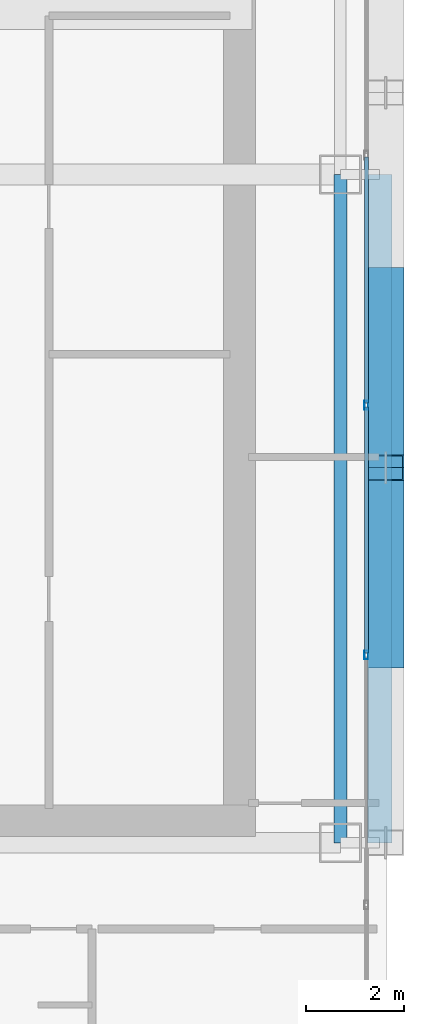
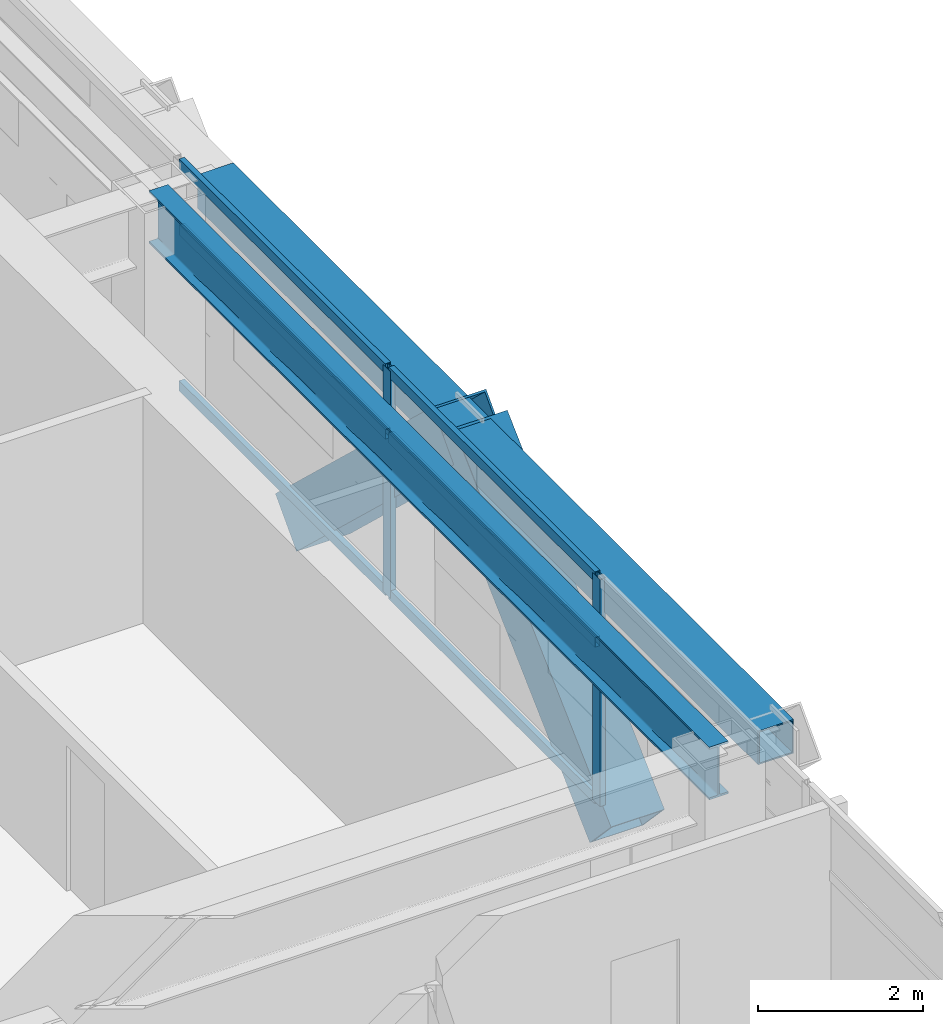
# One storey, part 13 of 35: 10 members, 2 beams, 1 element without a shape of its own.
"""IFC4 building model written with IfcOpenShell, lengths in metres."""

from ifc_helpers import new_model, si_unit, direction, frame, origin, origin_2d, place, context, subcontext, project, spatial, hollow_rectangle, i_section, extrude, source, transform, mapped, material, layer, layer_set, material_profile, profile_set, type_object, element, aggregate, save


model = new_model("IFC4")

# Units and contexts
model_context = context("Model", 3, precision=1e-05, world=origin(), true_north=direction((0.0, 1.0)))
body_context = subcontext(model_context, "Body", "Model", "MODEL_VIEW")
ifc_project = project(units=[si_unit("LENGTHUNIT", "METRE"), si_unit("AREAUNIT", "SQUARE_METRE"), si_unit("VOLUMEUNIT", "CUBIC_METRE"), si_unit("PLANEANGLEUNIT", "RADIAN"), si_unit("MASSUNIT", "GRAM", prefix="KILO")], contexts=[model_context])

# Site, building, storey
site_placement = place(None, origin())
site = spatial("IfcSite", under=ifc_project, at=site_placement, CompositionType="ELEMENT")
building_placement = place(site_placement, origin())
building = spatial("IfcBuilding", under=site, at=building_placement, Name="Ocotamira Hotel", CompositionType="ELEMENT")
storey_placement = place(building_placement, frame((0.0, 0.0, 144.0)))
storey = spatial("IfcBuildingStorey", under=building, at=storey_placement, Name="L36", CompositionType="ELEMENT", Elevation=144.0)

# Beams
ifc_material_1 = material(Name="Steel ASTM A992 Grade 50", Category="steel")
ifc_material_profile_1 = material_profile(ifc_material_1, i_section(OverallWidth=0.26611328125, OverallDepth=0.779052734375, WebThickness=0.0166015625, FlangeThickness=0.030029296875, FilletRadius=0.01806640625, at=origin_2d()), Name="W30X148")
ifc_profile_set_1 = profile_set([ifc_material_profile_1], Name="Steel ASTM A992 Grade 50")
beam_type_1 = type_object("IfcBeamType", Name="BM-GIRD-W30X148", PredefinedType="BEAM", material=ifc_profile_set_1)
shared_shape_1 = source(origin(), body_context, "Body", "SweptSolid", [
    extrude(i_section(OverallWidth=0.26611328125, OverallDepth=0.779052734375, WebThickness=0.0166015625, FlangeThickness=0.030029296875, FilletRadius=0.01806640625, at=origin_2d()), origin(), (0.0, 0.0, 1.0), 13.599853515625),
])
beam_1_placement = place(storey_placement, frame((55.050048828125, 14.550048828125, 2.970458984375), z_axis=(0.0, 1.0, 0.0), x_axis=(-1.0, 0.0, 0.0)))
element("IfcBeam", 1, at=beam_1_placement, inside=storey, type_object=beam_type_1, Name="L36 Beam X55.05 Y14.55-28.15", PredefinedType="BEAM", context=body_context, shape_type="MappedRepresentation", body=[
    mapped(shared_shape_1, transform((0.0, 0.0, 0.0), scale=1.0)),
])
ifc_material_2 = material(Name="Steel ASTM A500 Grade C", Category="steel")
ifc_material_profile_2 = material_profile(ifc_material_2, hollow_rectangle(XDim=0.5, YDim=0.5, WallThickness=0.02001953125, at=origin_2d()), Name="HSS500X500X20")
ifc_profile_set_2 = profile_set([ifc_material_profile_2], Name="Steel ASTM A500 Grade C")
beam_type_2 = type_object("IfcBeamType", Name="BM-SPAN-HSS500", PredefinedType="USERDEFINED", material=ifc_profile_set_2)
shared_shape_2 = source(origin(), body_context, "Body", "SweptSolid", [
    extrude(hollow_rectangle(XDim=0.5, YDim=0.5, WallThickness=0.02001953125, at=origin_2d()), origin(), (0.0, 0.0, 1.0), 13.599853515625),
])
beam_2_placement = place(storey_placement, frame((55.85009765625, 14.550048828125, 3.110107421875), z_axis=(0.0, 1.0, 0.0), x_axis=(-1.0, 0.0, 0.0)))
element("IfcBeam", 2, at=beam_2_placement, inside=storey, type_object=beam_type_2, Name="L36 Edge Spandrel E Y14.55-28.15", ObjectType="SPANDREL", PredefinedType="USERDEFINED", context=body_context, shape_type="MappedRepresentation", body=[
    mapped(shared_shape_2, transform((0.0, 0.0, 0.0), scale=1.0)),
])

# Members
ifc_material_3 = material(Name="Pale-metal coated steel ASTM A913 Grade 65", Category="steel")
ifc_material_profile_3 = material_profile(ifc_material_3, hollow_rectangle(XDim=0.75, YDim=0.75, WallThickness=0.028076171875, at=origin_2d()), Name="BOX750X750X28")
ifc_profile_set_3 = profile_set([ifc_material_profile_3], Name="Pale-metal coated steel ASTM A913 Grade 65")
member_type_1 = type_object("IfcMemberType", Name="MEM-EXO-BOX750", PredefinedType="BRACE", material=ifc_profile_set_3)
shared_shape_3 = source(origin(), body_context, "Body", "SweptSolid", [
    extrude(hollow_rectangle(XDim=0.75, YDim=0.75, WallThickness=0.028076171875, at=origin_2d()), origin(), (0.0, 0.0, 1.0), 5.24658203125),
])
for number, where, z_axis, x_axis, name in (
    (3, (55.969970703125, 18.36669921875, -0.489990234375), (0.0, 0.727442733726, 0.686168397078), (-1.0, 0.0, 0.0), "L36 Exoskeleton Diagrid E0.2"),
    (4, (55.969970703125, 26.0, -0.489990234375), (0.0, -0.727442733726, 0.686168397078), (1.0, 0.0, 0.0), "L36 Exoskeleton Diagrid E1.1"),
):
    element("IfcMember", number, at=place(storey_placement, frame(where, z_axis=z_axis, x_axis=x_axis)), inside=storey, type_object=member_type_1, Name=name, PredefinedType="BRACE", context=body_context, shape_type="MappedRepresentation", body=[
        mapped(shared_shape_3, transform((0.0, 0.0, 0.0), scale=1.0)),
    ])

# Curtain wall, members
ifc_material_4 = material(Name="Anodised pale-metal aluminium and solar glass", Category="aluminium")
ifc_layer = layer(ifc_material_4, 0.179931640625)
ifc_layer_set = layer_set([ifc_layer], Name="Anodised pale-metal aluminium and solar glass")
curtain_wall_type = type_object("IfcCurtainWallType", Name="CW-SYS3-Z2", PredefinedType="NOTDEFINED", material=ifc_layer_set)
curtain_wall_placement = place(storey_placement, origin())
curtain_wall = element("IfcCurtainWall", 5, at=curtain_wall_placement, inside=storey, type_object=curtain_wall_type, Name="L36 Curtain Wall CW-3 CW-L36-E", PredefinedType="NOTDEFINED")
ifc_material_5 = material(Name="Anodised pale-metal aluminium 6063-T6", Category="aluminium")
ifc_material_profile_4 = material_profile(ifc_material_5, hollow_rectangle(XDim=0.074951171875, YDim=0.14990234375, WallThickness=0.006103515625, at=origin_2d()), Name="HSS150X75X6")
ifc_profile_set_4 = profile_set([ifc_material_profile_4], Name="Anodised pale-metal aluminium 6063-T6")
member_type_2 = type_object("IfcMemberType", Name="CWT-150X75", PredefinedType="USERDEFINED", material=ifc_profile_set_4)
shared_shape_4 = source(origin(), body_context, "Body", "SweptSolid", [
    extrude(hollow_rectangle(XDim=0.074951171875, YDim=0.14990234375, WallThickness=0.006103515625, at=origin_2d()), origin(), (0.0, 0.0, 1.0), 5.005859375),
])
member_1_placement = place(storey_placement, frame((55.580078125, 18.411376953125, 0.03759765625), z_axis=(0.0, 1.0, 0.0), x_axis=(-1.0, 0.0, 0.0)))
member_1 = element("IfcMember", 6, at=member_1_placement, type_object=member_type_2, Name="CW-3 transom 3.1", ObjectType="TRANSOM", PredefinedType="USERDEFINED", context=body_context, shape_type="MappedRepresentation", body=[
    mapped(shared_shape_4, transform((0.0, 0.0, 0.0), scale=1.0)),
])
member_2_placement = place(storey_placement, frame((55.580078125, 18.411376953125, 2.35009765625), z_axis=(0.0, 1.0, 0.0), x_axis=(-1.0, 0.0, 0.0)))
member_2 = element("IfcMember", 7, at=member_2_placement, type_object=member_type_2, Name="CW-3 transom 3.2", ObjectType="TRANSOM", PredefinedType="USERDEFINED", context=body_context, shape_type="MappedRepresentation", body=[
    mapped(shared_shape_4, transform((0.0, 0.0, 0.0), scale=1.0)),
])
member_3_placement = place(storey_placement, frame((55.580078125, 18.411376953125, 3.322509765625), z_axis=(0.0, 1.0, 0.0), x_axis=(-1.0, 0.0, 0.0)))
member_3 = element("IfcMember", 8, at=member_3_placement, type_object=member_type_2, Name="CW-3 transom 3.3", ObjectType="TRANSOM", PredefinedType="USERDEFINED", context=body_context, shape_type="MappedRepresentation", body=[
    mapped(shared_shape_4, transform((0.0, 0.0, 0.0), scale=1.0)),
])
member_4_placement = place(storey_placement, frame((55.580078125, 23.4970703125, 0.03759765625), z_axis=(0.0, 1.0, 0.0), x_axis=(-1.0, 0.0, 0.0)))
member_4 = element("IfcMember", 9, at=member_4_placement, type_object=member_type_2, Name="CW-3 transom 4.1", ObjectType="TRANSOM", PredefinedType="USERDEFINED", context=body_context, shape_type="MappedRepresentation", body=[
    mapped(shared_shape_4, transform((0.0, 0.0, 0.0), scale=1.0)),
])
member_5_placement = place(storey_placement, frame((55.580078125, 23.4970703125, 2.35009765625), z_axis=(0.0, 1.0, 0.0), x_axis=(-1.0, 0.0, 0.0)))
member_5 = element("IfcMember", 10, at=member_5_placement, type_object=member_type_2, Name="CW-3 transom 4.2", ObjectType="TRANSOM", PredefinedType="USERDEFINED", context=body_context, shape_type="MappedRepresentation", body=[
    mapped(shared_shape_4, transform((0.0, 0.0, 0.0), scale=1.0)),
])
member_6_placement = place(storey_placement, frame((55.580078125, 23.4970703125, 3.322509765625), z_axis=(0.0, 1.0, 0.0), x_axis=(-1.0, 0.0, 0.0)))
member_6 = element("IfcMember", 11, at=member_6_placement, type_object=member_type_2, Name="CW-3 transom 4.3", ObjectType="TRANSOM", PredefinedType="USERDEFINED", context=body_context, shape_type="MappedRepresentation", body=[
    mapped(shared_shape_4, transform((0.0, 0.0, 0.0), scale=1.0)),
])
ifc_material_profile_5 = material_profile(ifc_material_5, hollow_rectangle(XDim=0.080078125, YDim=0.179931640625, WallThickness=0.006103515625, at=origin_2d()), Name="HSS180X80X6")
ifc_profile_set_5 = profile_set([ifc_material_profile_5], Name="Anodised pale-metal aluminium 6063-T6")
member_type_3 = type_object("IfcMemberType", Name="CWM-180X75", PredefinedType="MULLION", material=ifc_profile_set_5)
shared_shape_5 = source(origin(), body_context, "Body", "SweptSolid", [
    extrude(hollow_rectangle(XDim=0.080078125, YDim=0.179931640625, WallThickness=0.006103515625, at=origin_2d()), origin(), (0.0, 0.0, 1.0), 3.360107421875),
])
member_7_placement = place(storey_placement, frame((55.580078125, 18.371337890625, 0.0), z_axis=(0.0, 0.0, 1.0), x_axis=(-1.0, 0.0, 0.0)))
member_7 = element("IfcMember", 12, at=member_7_placement, type_object=member_type_3, Name="CW-3 mullion 3", PredefinedType="MULLION", context=body_context, shape_type="MappedRepresentation", body=[
    mapped(shared_shape_5, transform((0.0, 0.0, 0.0), scale=1.0)),
])
member_8_placement = place(storey_placement, frame((55.580078125, 23.45703125, 0.0), z_axis=(0.0, 0.0, 1.0), x_axis=(-1.0, 0.0, 0.0)))
member_8 = element("IfcMember", 13, at=member_8_placement, type_object=member_type_3, Name="CW-3 mullion 4", PredefinedType="MULLION", context=body_context, shape_type="MappedRepresentation", body=[
    mapped(shared_shape_5, transform((0.0, 0.0, 0.0), scale=1.0)),
])
aggregate(curtain_wall, [member_7, member_8, member_1, member_2, member_3, member_4, member_5, member_6])

save(model, "model.ifc")
